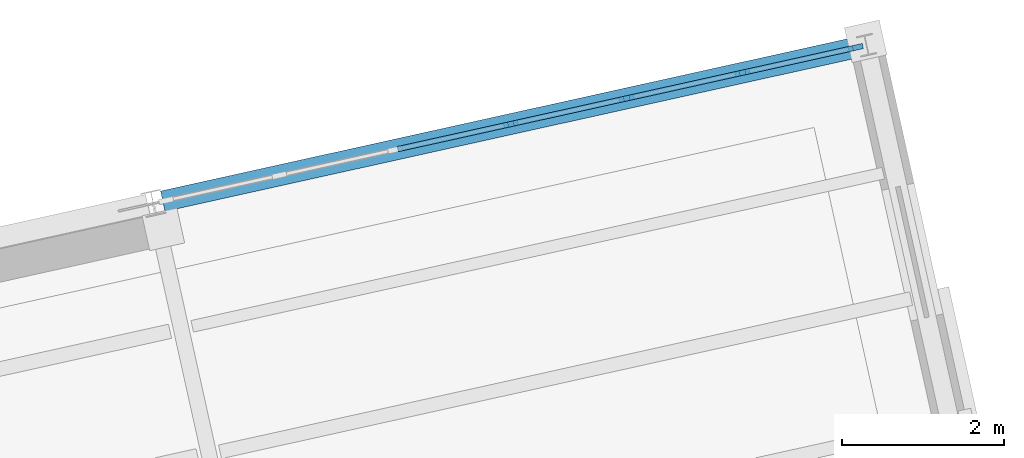
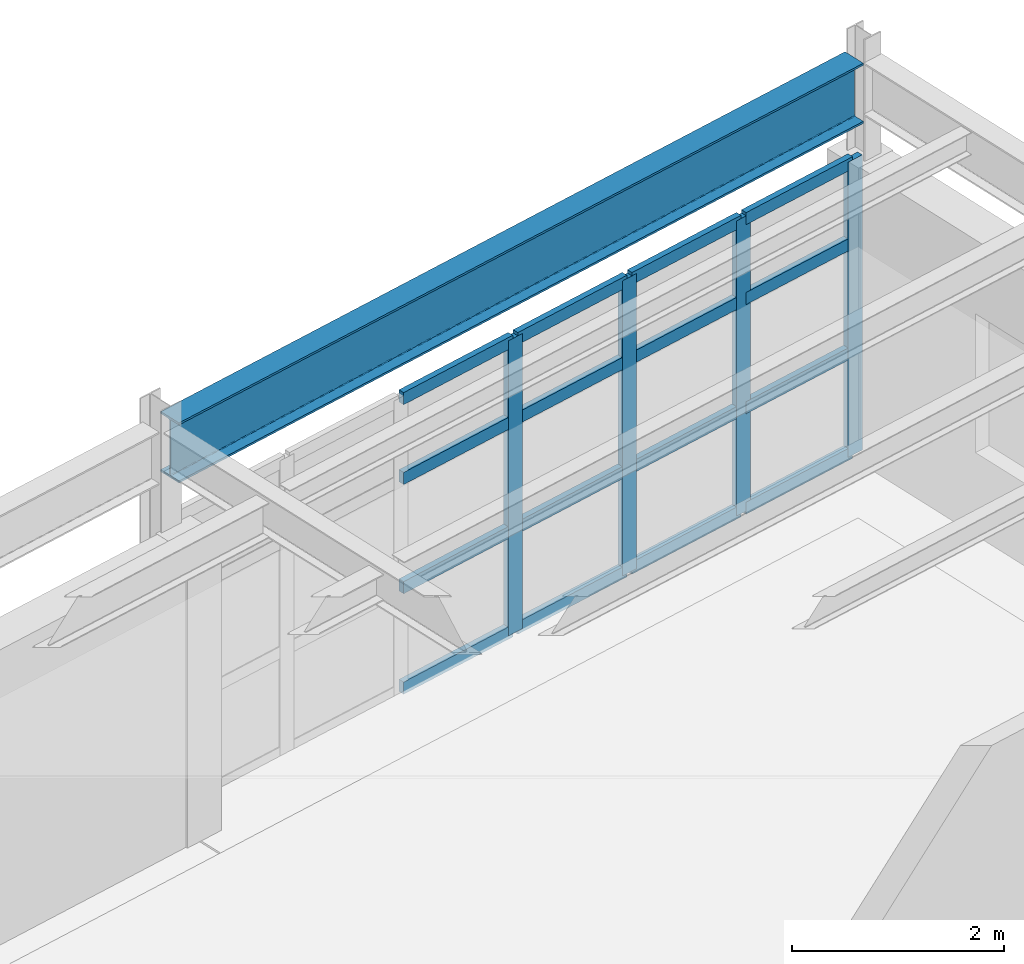
# One storey, part 63 of 109: 20 members, 1 beam, 1 element without a shape of its own.
"""IFC4 building model written with IfcOpenShell, lengths in metres."""

from ifc_helpers import new_model, si_unit, direction, frame, origin, origin_2d, place, context, subcontext, project, spatial, rectangle, i_section, extrude, material, layer, layer_set, material_profile, profile_set, type_object, element, aggregate, save


model = new_model("IFC4")

# Units and contexts
model_context = context("Model", 3, precision=1e-05, world=origin(), true_north=direction((0.0, 1.0)))
body_context = subcontext(model_context, "Body", "Model", "MODEL_VIEW")
ifc_project = project(units=[si_unit("LENGTHUNIT", "METRE"), si_unit("AREAUNIT", "SQUARE_METRE"), si_unit("VOLUMEUNIT", "CUBIC_METRE"), si_unit("PLANEANGLEUNIT", "RADIAN"), si_unit("MASSUNIT", "GRAM", prefix="KILO")], contexts=[model_context])

# Site, building, storey
site_placement = place(None, origin())
site = spatial("IfcSite", under=ifc_project, at=site_placement, CompositionType="ELEMENT")
building_placement = place(site_placement, origin())
building = spatial("IfcBuilding", under=site, at=building_placement, Name="Vireo Bluff Cable Station", CompositionType="ELEMENT")
storey_placement = place(building_placement, frame((0.0, 0.0, 4.800048828125)))
storey = spatial("IfcBuildingStorey", under=building, at=storey_placement, Name="L01", CompositionType="ELEMENT", Elevation=4.800048828125)

# Curtain wall, members
ifc_material_1 = material(Name="Anodized Aluminium 6063-T6", Category="aluminium")
ifc_layer = layer(ifc_material_1, 0.179931640625, Name="Anodized Aluminium 6063-T6")
ifc_layer_set = layer_set([ifc_layer], Name="Anodized Aluminium 6063-T6")
curtain_wall_type = type_object("IfcCurtainWallType", Name="CW-UNIT-1400", PredefinedType="USERDEFINED", material=ifc_layer_set)
curtain_wall_placement = place(storey_placement, origin())
curtain_wall = element("IfcCurtainWall", 1, at=curtain_wall_placement, inside=storey, type_object=curtain_wall_type, Name="V2 L01 north curtain wall CW-048", ObjectType="UNITISED CURTAIN WALL", PredefinedType="USERDEFINED")
ifc_material_profile_1 = material_profile(ifc_material_1, rectangle(XDim=0.06494140625, YDim=0.179931640625, at=origin_2d()), Name="ALU-M-65X180")
ifc_profile_set_1 = profile_set([ifc_material_profile_1], Name="Anodized Aluminium 6063-T6")
member_type_1 = type_object("IfcMemberType", Name="CWM-01", PredefinedType="MULLION", material=ifc_profile_set_1)
member_1_placement = place(storey_placement, frame((150.596923828125, 108.64501953125, 0.0), z_axis=(0.0, 0.0, 1.0), x_axis=(-0.216439714557, 0.976295984813, 0.0)))
member_1 = element("IfcMember", 2, at=member_1_placement, type_object=member_type_1, Name="CW-048 mullion 4", PredefinedType="MULLION", context=body_context, shape_type="SweptSolid", body=[
    extrude(rectangle(XDim=0.06494140625, YDim=0.179931640625, at=origin_2d()), origin(), (0.0, 0.0, 1.0), 3.39990234375),
])
member_2_placement = place(storey_placement, frame((152.0234375, 108.961181640625, 0.0), z_axis=(0.0, 0.0, 1.0), x_axis=(-0.216439714557, 0.976295984813, 0.0)))
member_2 = element("IfcMember", 3, at=member_2_placement, type_object=member_type_1, Name="CW-048 mullion 5", PredefinedType="MULLION", context=body_context, shape_type="SweptSolid", body=[
    extrude(rectangle(XDim=0.06494140625, YDim=0.179931640625, at=origin_2d()), origin(), (0.0, 0.0, 1.0), 3.39990234375),
])
member_3_placement = place(storey_placement, frame((153.449951171875, 109.277587890625, 0.0), z_axis=(0.0, 0.0, 1.0), x_axis=(-0.216439714557, 0.976295984813, 0.0)))
member_3 = element("IfcMember", 4, at=member_3_placement, type_object=member_type_1, Name="CW-048 mullion 6", PredefinedType="MULLION", context=body_context, shape_type="SweptSolid", body=[
    extrude(rectangle(XDim=0.06494140625, YDim=0.179931640625, at=origin_2d()), origin(), (0.0, 0.0, 1.0), 3.39990234375),
])
member_4_placement = place(storey_placement, frame((154.844970703125, 109.586669921875, 0.0), z_axis=(0.0, 0.0, 1.0), x_axis=(-0.216439714557, 0.976295984813, 0.0)))
member_4 = element("IfcMember", 5, at=member_4_placement, type_object=member_type_1, Name="CW-048 mullion 7", PredefinedType="MULLION", context=body_context, shape_type="SweptSolid", body=[
    extrude(rectangle(XDim=0.06494140625, YDim=0.179931640625, at=origin_2d()), origin(), (0.0, 0.0, 1.0), 3.39990234375),
])
ifc_material_profile_2 = material_profile(ifc_material_1, rectangle(XDim=0.06494140625, YDim=0.139892578125, at=origin_2d()), Name="ALU-T-65X140")
ifc_profile_set_2 = profile_set([ifc_material_profile_2], Name="Anodized Aluminium 6063-T6")
member_type_2 = type_object("IfcMemberType", Name="CWT-01", PredefinedType="USERDEFINED", material=ifc_profile_set_2)
member_5_placement = place(storey_placement, frame((149.2021484375, 108.335693359375, 0.032470703125), z_axis=(0.976285707795, 0.216486065959, 0.0), x_axis=(-0.216486065959, 0.976285707795, 0.0)))
member_5 = element("IfcMember", 6, at=member_5_placement, type_object=member_type_2, Name="CW-048 transom 3.1", ObjectType="TRANSOM", PredefinedType="USERDEFINED", context=body_context, shape_type="SweptSolid", body=[
    extrude(rectangle(XDim=0.06494140625, YDim=0.139892578125, at=origin_2d()), origin(), (0.0, 0.0, 1.0), 1.396240234375),
])
member_6_placement = place(storey_placement, frame((149.2021484375, 108.335693359375, 1.18994140625), z_axis=(0.976285707795, 0.216486065959, 0.0), x_axis=(-0.216486065959, 0.976285707795, 0.0)))
member_6 = element("IfcMember", 7, at=member_6_placement, type_object=member_type_2, Name="CW-048 transom 3.2", ObjectType="TRANSOM", PredefinedType="USERDEFINED", context=body_context, shape_type="SweptSolid", body=[
    extrude(rectangle(XDim=0.06494140625, YDim=0.139892578125, at=origin_2d()), origin(), (0.0, 0.0, 1.0), 1.396240234375),
])
member_7_placement = place(storey_placement, frame((149.2021484375, 108.335693359375, 2.447998046875), z_axis=(0.976285707795, 0.216486065959, 0.0), x_axis=(-0.216486065959, 0.976285707795, 0.0)))
member_7 = element("IfcMember", 8, at=member_7_placement, type_object=member_type_2, Name="CW-048 transom 3.3", ObjectType="TRANSOM", PredefinedType="USERDEFINED", context=body_context, shape_type="SweptSolid", body=[
    extrude(rectangle(XDim=0.06494140625, YDim=0.139892578125, at=origin_2d()), origin(), (0.0, 0.0, 1.0), 1.396240234375),
])
member_8_placement = place(storey_placement, frame((149.2021484375, 108.335693359375, 3.367431640625), z_axis=(0.976285707795, 0.216486065959, 0.0), x_axis=(-0.216486065959, 0.976285707795, 0.0)))
member_8 = element("IfcMember", 9, at=member_8_placement, type_object=member_type_2, Name="CW-048 transom 3.4", ObjectType="TRANSOM", PredefinedType="USERDEFINED", context=body_context, shape_type="SweptSolid", body=[
    extrude(rectangle(XDim=0.06494140625, YDim=0.139892578125, at=origin_2d()), origin(), (0.0, 0.0, 1.0), 1.396240234375),
])
member_9_placement = place(storey_placement, frame((150.628662109375, 108.652099609375, 0.032470703125), z_axis=(0.976322653623, 0.216319384297, 0.0), x_axis=(-0.216319384297, 0.976322653623, 0.0)))
member_9 = element("IfcMember", 10, at=member_9_placement, type_object=member_type_2, Name="CW-048 transom 4.1", ObjectType="TRANSOM", PredefinedType="USERDEFINED", context=body_context, shape_type="SweptSolid", body=[
    extrude(rectangle(XDim=0.06494140625, YDim=0.139892578125, at=origin_2d()), origin(), (0.0, 0.0, 1.0), 1.39599609375),
])
member_10_placement = place(storey_placement, frame((150.628662109375, 108.652099609375, 1.18994140625), z_axis=(0.976322653623, 0.216319384297, 0.0), x_axis=(-0.216319384297, 0.976322653623, 0.0)))
member_10 = element("IfcMember", 11, at=member_10_placement, type_object=member_type_2, Name="CW-048 transom 4.2", ObjectType="TRANSOM", PredefinedType="USERDEFINED", context=body_context, shape_type="SweptSolid", body=[
    extrude(rectangle(XDim=0.06494140625, YDim=0.139892578125, at=origin_2d()), origin(), (0.0, 0.0, 1.0), 1.39599609375),
])
member_11_placement = place(storey_placement, frame((150.628662109375, 108.652099609375, 2.447998046875), z_axis=(0.976322653623, 0.216319384297, 0.0), x_axis=(-0.216319384297, 0.976322653623, 0.0)))
member_11 = element("IfcMember", 12, at=member_11_placement, type_object=member_type_2, Name="CW-048 transom 4.3", ObjectType="TRANSOM", PredefinedType="USERDEFINED", context=body_context, shape_type="SweptSolid", body=[
    extrude(rectangle(XDim=0.06494140625, YDim=0.139892578125, at=origin_2d()), origin(), (0.0, 0.0, 1.0), 1.39599609375),
])
member_12_placement = place(storey_placement, frame((150.628662109375, 108.652099609375, 3.367431640625), z_axis=(0.976322653623, 0.216319384297, 0.0), x_axis=(-0.216319384297, 0.976322653623, 0.0)))
member_12 = element("IfcMember", 13, at=member_12_placement, type_object=member_type_2, Name="CW-048 transom 4.4", ObjectType="TRANSOM", PredefinedType="USERDEFINED", context=body_context, shape_type="SweptSolid", body=[
    extrude(rectangle(XDim=0.06494140625, YDim=0.139892578125, at=origin_2d()), origin(), (0.0, 0.0, 1.0), 1.39599609375),
])
member_13_placement = place(storey_placement, frame((152.05517578125, 108.96826171875, 0.032470703125), z_axis=(0.976285707795, 0.216486065959, 0.0), x_axis=(-0.216486065959, 0.976285707795, 0.0)))
member_13 = element("IfcMember", 14, at=member_13_placement, type_object=member_type_2, Name="CW-048 transom 5.1", ObjectType="TRANSOM", PredefinedType="USERDEFINED", context=body_context, shape_type="SweptSolid", body=[
    extrude(rectangle(XDim=0.06494140625, YDim=0.139892578125, at=origin_2d()), origin(), (0.0, 0.0, 1.0), 1.396240234375),
])
member_14_placement = place(storey_placement, frame((152.05517578125, 108.96826171875, 1.18994140625), z_axis=(0.976285707795, 0.216486065959, 0.0), x_axis=(-0.216486065959, 0.976285707795, 0.0)))
member_14 = element("IfcMember", 15, at=member_14_placement, type_object=member_type_2, Name="CW-048 transom 5.2", ObjectType="TRANSOM", PredefinedType="USERDEFINED", context=body_context, shape_type="SweptSolid", body=[
    extrude(rectangle(XDim=0.06494140625, YDim=0.139892578125, at=origin_2d()), origin(), (0.0, 0.0, 1.0), 1.396240234375),
])
member_15_placement = place(storey_placement, frame((152.05517578125, 108.96826171875, 2.447998046875), z_axis=(0.976285707795, 0.216486065959, 0.0), x_axis=(-0.216486065959, 0.976285707795, 0.0)))
member_15 = element("IfcMember", 16, at=member_15_placement, type_object=member_type_2, Name="CW-048 transom 5.3", ObjectType="TRANSOM", PredefinedType="USERDEFINED", context=body_context, shape_type="SweptSolid", body=[
    extrude(rectangle(XDim=0.06494140625, YDim=0.139892578125, at=origin_2d()), origin(), (0.0, 0.0, 1.0), 1.396240234375),
])
member_16_placement = place(storey_placement, frame((152.05517578125, 108.96826171875, 3.367431640625), z_axis=(0.976285707795, 0.216486065959, 0.0), x_axis=(-0.216486065959, 0.976285707795, 0.0)))
member_16 = element("IfcMember", 17, at=member_16_placement, type_object=member_type_2, Name="CW-048 transom 5.4", ObjectType="TRANSOM", PredefinedType="USERDEFINED", context=body_context, shape_type="SweptSolid", body=[
    extrude(rectangle(XDim=0.06494140625, YDim=0.139892578125, at=origin_2d()), origin(), (0.0, 0.0, 1.0), 1.396240234375),
])
member_17_placement = place(storey_placement, frame((153.481689453125, 109.284423828125, 0.032470703125), z_axis=(0.97630064773, 0.216418680437, 0.0), x_axis=(-0.216418680437, 0.97630064773, 0.0)))
member_17 = element("IfcMember", 18, at=member_17_placement, type_object=member_type_2, Name="CW-048 transom 6.1", ObjectType="TRANSOM", PredefinedType="USERDEFINED", context=body_context, shape_type="SweptSolid", body=[
    extrude(rectangle(XDim=0.06494140625, YDim=0.139892578125, at=origin_2d()), origin(), (0.0, 0.0, 1.0), 1.36376953125),
])
member_18_placement = place(storey_placement, frame((153.481689453125, 109.284423828125, 1.18994140625), z_axis=(0.97630064773, 0.216418680437, 0.0), x_axis=(-0.216418680437, 0.97630064773, 0.0)))
member_18 = element("IfcMember", 19, at=member_18_placement, type_object=member_type_2, Name="CW-048 transom 6.2", ObjectType="TRANSOM", PredefinedType="USERDEFINED", context=body_context, shape_type="SweptSolid", body=[
    extrude(rectangle(XDim=0.06494140625, YDim=0.139892578125, at=origin_2d()), origin(), (0.0, 0.0, 1.0), 1.36376953125),
])
member_19_placement = place(storey_placement, frame((153.481689453125, 109.284423828125, 2.447998046875), z_axis=(0.97630064773, 0.216418680437, 0.0), x_axis=(-0.216418680437, 0.97630064773, 0.0)))
member_19 = element("IfcMember", 20, at=member_19_placement, type_object=member_type_2, Name="CW-048 transom 6.3", ObjectType="TRANSOM", PredefinedType="USERDEFINED", context=body_context, shape_type="SweptSolid", body=[
    extrude(rectangle(XDim=0.06494140625, YDim=0.139892578125, at=origin_2d()), origin(), (0.0, 0.0, 1.0), 1.36376953125),
])
member_20_placement = place(storey_placement, frame((153.481689453125, 109.284423828125, 3.367431640625), z_axis=(0.97630064773, 0.216418680437, 0.0), x_axis=(-0.216418680437, 0.97630064773, 0.0)))
member_20 = element("IfcMember", 21, at=member_20_placement, type_object=member_type_2, Name="CW-048 transom 6.4", ObjectType="TRANSOM", PredefinedType="USERDEFINED", context=body_context, shape_type="SweptSolid", body=[
    extrude(rectangle(XDim=0.06494140625, YDim=0.139892578125, at=origin_2d()), origin(), (0.0, 0.0, 1.0), 1.36376953125),
])
aggregate(curtain_wall, [member_1, member_2, member_3, member_4, member_5, member_6, member_7, member_8, member_9, member_10, member_11, member_12, member_13, member_14, member_15, member_16, member_17, member_18, member_19, member_20])

# Beam
ifc_material_2 = material(Name="Steel ASTM A992 Gr. 50", Category="steel")
ifc_material_profile_3 = material_profile(ifc_material_2, i_section(OverallWidth=0.257080078125, OverallDepth=0.693115234375, WebThickness=0.014404296875, FlangeThickness=0.023681640625, FilletRadius=0.014892578125, at=origin_2d()), Name="W27X114")
ifc_profile_set_3 = profile_set([ifc_material_profile_3], Name="Steel ASTM A992 Gr. 50")
beam_type = type_object("IfcBeamType", Name="SPN-W27X114", PredefinedType="SPANDREL", material=ifc_profile_set_3)
beam_placement = place(storey_placement, frame((146.30859375, 107.6943359375, 4.193359375), z_axis=(0.97629710087, 0.216434680293, 0.0), x_axis=(-0.216434680293, 0.97629710087, 0.0)))
element("IfcBeam", 22, at=beam_placement, inside=storey, type_object=beam_type, Name="V2 L01 spandrel 455", PredefinedType="SPANDREL", context=body_context, shape_type="SweptSolid", body=[
    extrude(i_section(OverallWidth=0.257080078125, OverallDepth=0.693115234375, WebThickness=0.014404296875, FlangeThickness=0.023681640625, FilletRadius=0.014892578125, at=origin_2d()), origin(), (0.0, 0.0, 1.0), 8.760009765625),
])

save(model, "model.ifc")
